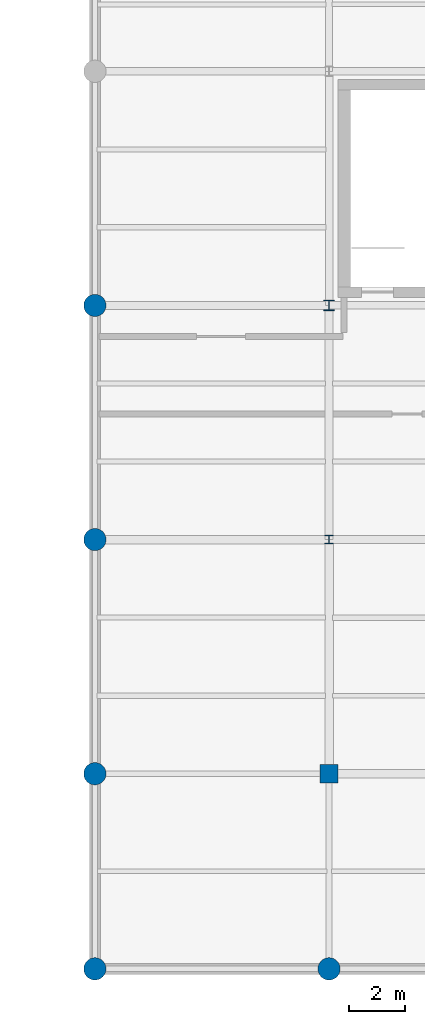
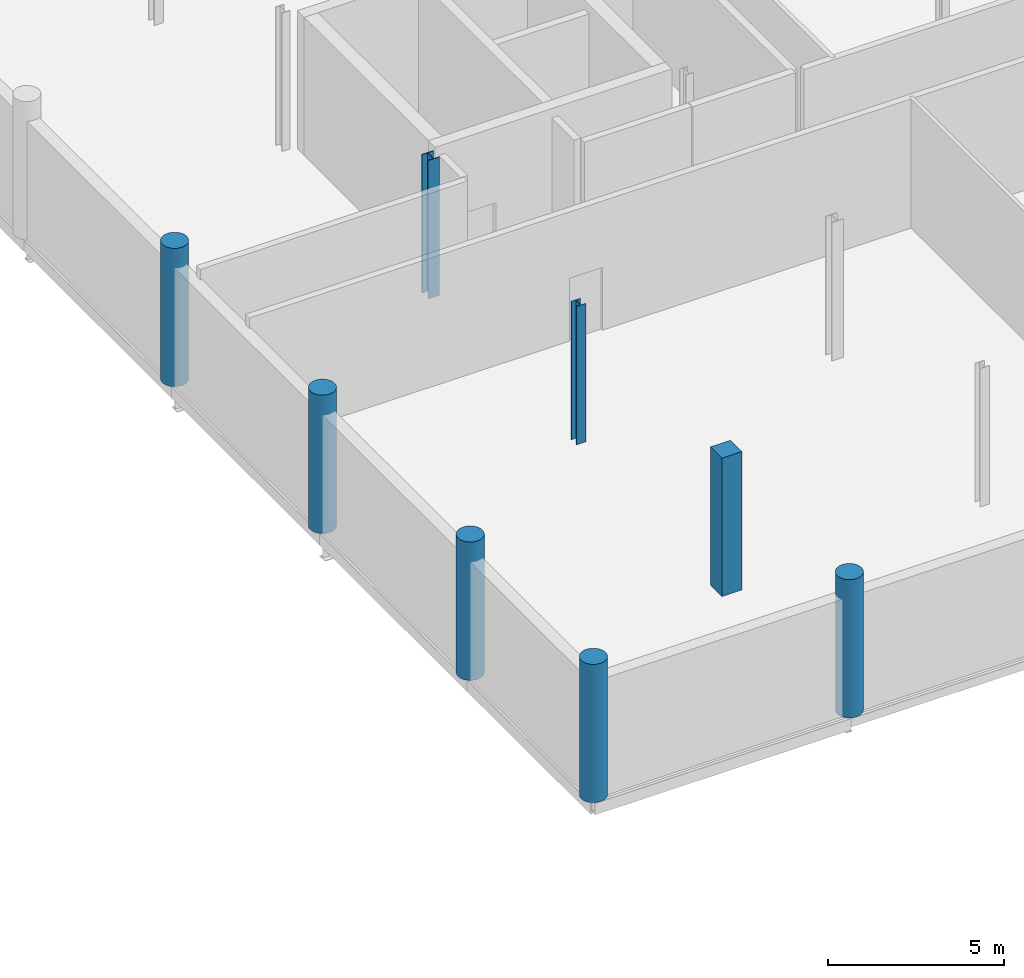
# One storey, part 4 of 94: 8 columns.
"""IFC4 building model written with IfcOpenShell, lengths in metres."""

import ifcopenshell
import ifcopenshell.guid

model = None  # the IFC model being written
_history = None  # IfcOwnerHistory: only IFC2X3 demands one
_inside = {}  # id of a spatial element -> (the spatial element, [elements in it])
_under = {}  # id of a project, library or spatial element -> (it, [spatial elements below it])
_declared = {}  # id of a project -> (the project, [libraries it declares])
_typed = {}  # id of a type object -> (the type object, [elements of that type])
_made_of = {}  # id of a material, layer set ... -> (it, [elements and type objects made of it])


def new_model(schema):
    """Start an empty IFC model of exactly this schema.

    Asked for "IFC4X3", IfcOpenShell would pick the latest addendum, in which some entities
    have other attributes; the version numbers below select the first issue.
    IFC2X3 requires an IfcOwnerHistory on every rooted entity: one is made here for all.
    """
    global model, _history
    if schema == "IFC4X3":
        model = ifcopenshell.file(schema_version=(4, 3, 0, 0))
    else:
        model = ifcopenshell.file(schema=schema)
    _inside.clear()
    _under.clear()
    _declared.clear()
    _typed.clear()
    _made_of.clear()
    _history = None
    if model.schema == "IFC2X3":
        org = make("IfcOrganization", Name="unknown")
        user = make(
            "IfcPersonAndOrganization",
            ThePerson=make("IfcPerson", FamilyName="unknown"),
            TheOrganization=org,
        )
        app = make(
            "IfcApplication",
            ApplicationDeveloper=org,
            Version="unknown",
            ApplicationFullName="unknown",
            ApplicationIdentifier="unknown",
        )
        _history = make(
            "IfcOwnerHistory",
            OwningUser=user,
            OwningApplication=app,
            ChangeAction="ADDED",
            CreationDate=0,
        )
    return model


def make(cls, **values):
    """One entity of the class cls with the attributes given. An attribute that is None is left unset."""
    return model.create_entity(
        cls, **{name: value for name, value in values.items() if value is not None}
    )


def rooted(cls, **values):
    """An entity with a GlobalId (a new one), such as an element, a storey or a relation."""
    return make(cls, GlobalId=ifcopenshell.guid.new(), OwnerHistory=_history, **values)


def si_unit(unit_type, name, prefix=None):
    """IfcSIUnit, for example si_unit("LENGTHUNIT", "METRE", prefix="MILLI")."""
    return make("IfcSIUnit", UnitType=unit_type, Prefix=prefix, Name=name)


def assignment(units):
    """IfcUnitAssignment: the units of a project."""
    return None if units is None else make("IfcUnitAssignment", Units=units)


def point(xyz):
    """IfcCartesianPoint."""
    return None if xyz is None else make("IfcCartesianPoint", Coordinates=xyz)


def direction(xyz):
    """IfcDirection."""
    return None if xyz is None else make("IfcDirection", DirectionRatios=xyz)


def frame(location, z_axis=None, x_axis=None):
    """IfcAxis2Placement3D, a coordinate frame: its origin and axes. An axis left out is left unset."""
    return make(
        "IfcAxis2Placement3D",
        Location=point(location),
        Axis=direction(z_axis),
        RefDirection=direction(x_axis),
    )


def frame_2d(location, x_axis=None):
    """IfcAxis2Placement2D, a coordinate frame in the plane: its origin and x axis."""
    return make(
        "IfcAxis2Placement2D", Location=point(location), RefDirection=direction(x_axis)
    )


def origin_with_axes():
    """The frame at (0, 0, 0) with the z axis (0, 0, 1) and the x axis (1, 0, 0) written out."""
    return frame((0.0, 0.0, 0.0), z_axis=(0.0, 0.0, 1.0), x_axis=(1.0, 0.0, 0.0))


def origin_2d_with_axis():
    """The frame at (0, 0) in the plane with the x axis (1, 0) written out."""
    return frame_2d((0.0, 0.0), x_axis=(1.0, 0.0))


def place(relative_to, where):
    """IfcLocalPlacement: puts the frame where relative to a parent placement (None: the world)."""
    return make(
        "IfcLocalPlacement", PlacementRelTo=relative_to, RelativePlacement=where
    )


def context(
    kind, dimensions, precision=None, world=None, true_north=None, identifier=None
):
    """IfcGeometricRepresentationContext, for example the 3D "Model" context."""
    return make(
        "IfcGeometricRepresentationContext",
        ContextIdentifier=identifier,
        ContextType=kind,
        CoordinateSpaceDimension=dimensions,
        Precision=precision,
        WorldCoordinateSystem=world,
        TrueNorth=true_north,
    )


def subcontext(parent, identifier, kind, view, scale=None):
    """IfcGeometricRepresentationSubContext, for example "Body" below "Model"."""
    return make(
        "IfcGeometricRepresentationSubContext",
        ContextIdentifier=identifier,
        ContextType=kind,
        ParentContext=parent,
        TargetScale=scale,
        TargetView=view,
    )


def project(units=None, contexts=None):
    """IfcProject with its units and contexts."""
    return rooted(
        "IfcProject",
        Name="project",
        RepresentationContexts=contexts,
        UnitsInContext=assignment(units),
    )


def spatial(cls, under=None, at=None, **own):
    """A site, building, storey or space (cls), placed at a placement, below another one or the project."""
    s = rooted(cls, ObjectPlacement=at, **own)
    if under is not None:
        _under.setdefault(under.id(), (under, []))[1].append(s)
    return s


def profile(cls, at=None, kind="AREA", **sizes):
    """A parametric profile (cls). Its sizes go by their IFC names, for example OverallWidth=200.0."""
    return make(cls, ProfileType=kind, Position=at, **sizes)


def rectangle(**sizes):
    """IfcRectangleProfileDef."""
    return profile("IfcRectangleProfileDef", **sizes)


def circle(**sizes):
    """IfcCircleProfileDef."""
    return profile("IfcCircleProfileDef", **sizes)


def i_section(**sizes):
    """IfcIShapeProfileDef."""
    return profile("IfcIShapeProfileDef", **sizes)


def extrude(swept, where, along, depth):
    """IfcExtrudedAreaSolid: the profile swept, set in the frame where, extruded along a direction by depth."""
    return make(
        "IfcExtrudedAreaSolid",
        SweptArea=swept,
        Position=where,
        ExtrudedDirection=direction(along),
        Depth=depth,
    )


def shape(context_of_items, identifier, shape_type, items):
    """IfcShapeRepresentation: the items that make up one representation, for example the "Body"."""
    return make(
        "IfcShapeRepresentation",
        ContextOfItems=context_of_items,
        RepresentationIdentifier=identifier,
        RepresentationType=shape_type,
        Items=items,
    )


def material(Name=None, Category=None):
    """IfcMaterial."""
    return make("IfcMaterial", Name=Name, Category=Category)


def material_profile(
    of_material, cross_section, Name=None, Category=None, Priority=None
):
    """IfcMaterialProfile: a cross section and its material."""
    return make(
        "IfcMaterialProfile",
        Name=Name,
        Material=of_material,
        Profile=cross_section,
        Priority=Priority,
        Category=Category,
    )


def profile_set(profiles, Name=None, composite=None):
    """IfcMaterialProfileSet."""
    return make(
        "IfcMaterialProfileSet",
        Name=Name,
        MaterialProfiles=profiles,
        CompositeProfile=composite,
    )


def made_of(thing, what):
    """Note that an element or type object is made of a material, layer set ...; save() writes the relation."""
    if what is not None:
        _made_of.setdefault(what.id(), (what, []))[1].append(thing)
    return thing


def type_object(cls, material=None, **own):
    """A type object (cls), such as IfcWallType, which elements share."""
    return made_of(rooted(cls, **own), material)


def element(
    cls,
    number,
    at=None,
    inside=None,
    cuts=None,
    type_object=None,
    material=None,
    context=None,
    identifier="Body",
    shape_type=None,
    held_by="IfcProductDefinitionShape",
    body=None,
    shapes=None,
    **own,
):
    """One element of the class cls, such as IfcWall. Its Tag is "e" and its number.

    at: its placement. inside: the storey or other place that contains it. cuts: it is an
    opening in that element (IfcRelVoidsElement). A single representation is given by context,
    identifier, shape_type and body (its items); several are given by shapes. held_by: the class
    of the entity that holds the representations. save() writes the other relations.
    """
    e = rooted(cls, Tag="e%d" % number, ObjectPlacement=at, **own)
    if body is not None:
        shapes = [shape(context, identifier, shape_type, body)]
    if shapes is not None:
        e.Representation = make(held_by, Representations=shapes)
    if inside is not None:
        _inside.setdefault(inside.id(), (inside, []))[1].append(e)
    if cuts is not None:
        rooted(
            "IfcRelVoidsElement", RelatingBuildingElement=cuts, RelatedOpeningElement=e
        )
    if type_object is not None:
        _typed.setdefault(type_object.id(), (type_object, []))[1].append(e)
    return made_of(e, material)


def aggregate(whole, parts):
    """IfcRelAggregates: a whole, such as a stair, and the parts it consists of."""
    return rooted("IfcRelAggregates", RelatingObject=whole, RelatedObjects=parts)


def save(model, path):
    """Write the relations noted so far, then the file.

    IfcRelAggregates (storeys below a building ...), IfcRelContainedInSpatialStructure (elements
    in a storey), IfcRelDefinesByType, IfcRelAssociatesMaterial and IfcRelDeclares: one each for
    every whole, place, type object, material and project.
    """
    for whole, parts in _under.values():
        aggregate(whole, parts)
    for where, things in _inside.values():
        rooted(
            "IfcRelContainedInSpatialStructure",
            RelatedElements=things,
            RelatingStructure=where,
        )
    for kind, things in _typed.values():
        rooted("IfcRelDefinesByType", RelatedObjects=things, RelatingType=kind)
    for what, things in _made_of.values():
        rooted("IfcRelAssociatesMaterial", RelatedObjects=things, RelatingMaterial=what)
    for by, libraries in _declared.values():
        rooted("IfcRelDeclares", RelatingContext=by, RelatedDefinitions=libraries)
    model.write(path)


model = new_model("IFC4")

# Units and contexts
model_context = context("Model", 3, precision=1e-05, world=origin_with_axes(), true_north=direction((0.0, 1.0)))
body_context = subcontext(model_context, "Body", "Model", "MODEL_VIEW")
ifc_project = project(units=[si_unit("LENGTHUNIT", "METRE"), si_unit("AREAUNIT", "SQUARE_METRE"), si_unit("VOLUMEUNIT", "CUBIC_METRE"), si_unit("PLANEANGLEUNIT", "RADIAN"), si_unit("MASSUNIT", "GRAM", prefix="KILO"), si_unit("THERMODYNAMICTEMPERATUREUNIT", "KELVIN")], contexts=[model_context])

# Site, building, storey
site_placement = place(None, origin_with_axes())
site = spatial("IfcSite", under=ifc_project, at=site_placement, CompositionType="ELEMENT")
building_placement = place(site_placement, origin_with_axes())
building = spatial("IfcBuilding", under=site, at=building_placement, Name="Montbau Bow Law Courts", CompositionType="ELEMENT")
storey_placement = place(building_placement, frame((0.0, 0.0, 15.6), z_axis=(0.0, 0.0, 1.0), x_axis=(1.0, 0.0, 0.0)))
storey = spatial("IfcBuildingStorey", under=building, at=storey_placement, Name="L03", CompositionType="ELEMENT", Elevation=15.6)

# Columns
ifc_material_1 = material(Name="Concrete CSA A23.1 f'c 40 MPa", Category="concrete")
ifc_material_profile_1 = material_profile(ifc_material_1, rectangle(XDim=0.65, YDim=0.65, at=origin_2d_with_axis()), Name="RC650X650", Category="Main", Priority=0)
ifc_profile_set_1 = profile_set([ifc_material_profile_1], Name="Concrete CSA A23.1 f'c 40 MPa")
column_type_1 = type_object("IfcColumnType", Name="C-RC-05", PredefinedType="COLUMN", material=ifc_profile_set_1)
column_1_placement = place(None, frame((130.2, 13.8, 15.6), z_axis=(0.0, 0.0, 1.0), x_axis=(1.0, 0.0, 0.0)))
element("IfcColumn", 1, at=column_1_placement, inside=storey, type_object=column_type_1, Name="C-L03-S0700:col2_0700", PredefinedType="COLUMN", context=body_context, shape_type="SweptSolid", body=[
    extrude(rectangle(XDim=0.65, YDim=0.65, at=origin_2d_with_axis()), origin_with_axes(), (0.0, 0.0, 1.0), 4.8),
])
ifc_material_profile_2 = material_profile(ifc_material_1, circle(Radius=0.4, at=origin_2d_with_axis()), Name="RC800D", Category="Main", Priority=0)
ifc_profile_set_2 = profile_set([ifc_material_profile_2], Name="Concrete CSA A23.1 f'c 40 MPa")
column_type_2 = type_object("IfcColumnType", Name="C-RC-07", PredefinedType="COLUMN", material=ifc_profile_set_2)
for number, where, z_axis, x_axis, name in (
    (2, (121.8, 6.8, 15.6), (0.0, 0.0, 1.0), (1.0, 0.0, 0.0), "C-L03-S0692:col2_0692"),
    (3, (121.8, 13.8, 15.6), (0.0, 0.0, 1.0), (1.0, 0.0, 0.0), "C-L03-S0693:col2_0693"),
    (4, (121.8, 22.2, 15.6), (0.0, 0.0, 1.0), (1.0, 0.0, 0.0), "C-L03-S0694:col2_0694"),
    (5, (121.8, 30.6, 15.6), (0.0, 0.0, 1.0), (1.0, 0.0, 0.0), "C-L03-S0695:col2_0695"),
    (6, (130.2, 6.8, 15.6), (0.0, 0.0, 1.0), (1.0, 0.0, 0.0), "C-L03-S0699:col2_0699"),
):
    element("IfcColumn", number, at=place(None, frame(where, z_axis=z_axis, x_axis=x_axis)), inside=storey, type_object=column_type_2, Name=name, PredefinedType="COLUMN", context=body_context, shape_type="SweptSolid", body=[
        extrude(circle(Radius=0.4, at=origin_2d_with_axis()), origin_with_axes(), (0.0, 0.0, 1.0), 4.8),
    ])
ifc_material_2 = material(Name="Steel CSA G40.21 Grade 350W (350 MPa)", Category="steel")
ifc_material_profile_3 = material_profile(ifc_material_2, i_section(OverallWidth=0.373, OverallDepth=0.368, WebThickness=0.015, FlangeThickness=0.0239, at=origin_2d_with_axis()), Name="W360X179", Category="Main", Priority=0)
ifc_profile_set_3 = profile_set([ifc_material_profile_3], Name="Steel CSA G40.21 Grade 350W (350 MPa)")
column_type_3 = type_object("IfcColumnType", Name="C-STL-04", PredefinedType="COLUMN", material=ifc_profile_set_3)
column_2_placement = place(None, frame((130.2, 30.6, 15.6), z_axis=(0.0, 0.0, 1.0), x_axis=(1.0, 0.0, 0.0)))
element("IfcColumn", 7, at=column_2_placement, inside=storey, type_object=column_type_3, Name="C-L03-S0702:col2_0702", PredefinedType="COLUMN", context=body_context, shape_type="SweptSolid", body=[
    extrude(i_section(OverallWidth=0.373, OverallDepth=0.368, WebThickness=0.015, FlangeThickness=0.0239, at=origin_2d_with_axis()), origin_with_axes(), (0.0, 0.0, 1.0), 4.8),
])
ifc_material_profile_4 = material_profile(ifc_material_2, i_section(OverallWidth=0.305, OverallDepth=0.308, WebThickness=0.0099, FlangeThickness=0.0154, at=origin_2d_with_axis()), Name="W310X97", Category="Main", Priority=0)
ifc_profile_set_4 = profile_set([ifc_material_profile_4], Name="Steel CSA G40.21 Grade 350W (350 MPa)")
column_type_4 = type_object("IfcColumnType", Name="C-STL-07", PredefinedType="COLUMN", material=ifc_profile_set_4)
column_3_placement = place(None, frame((130.2, 22.2, 15.6), z_axis=(0.0, 0.0, 1.0), x_axis=(1.0, 0.0, 0.0)))
element("IfcColumn", 8, at=column_3_placement, inside=storey, type_object=column_type_4, Name="C-L03-S0701:col2_0701", PredefinedType="COLUMN", context=body_context, shape_type="SweptSolid", body=[
    extrude(i_section(OverallWidth=0.305, OverallDepth=0.308, WebThickness=0.0099, FlangeThickness=0.0154, at=origin_2d_with_axis()), origin_with_axes(), (0.0, 0.0, 1.0), 4.8),
])

save(model, "model.ifc")
